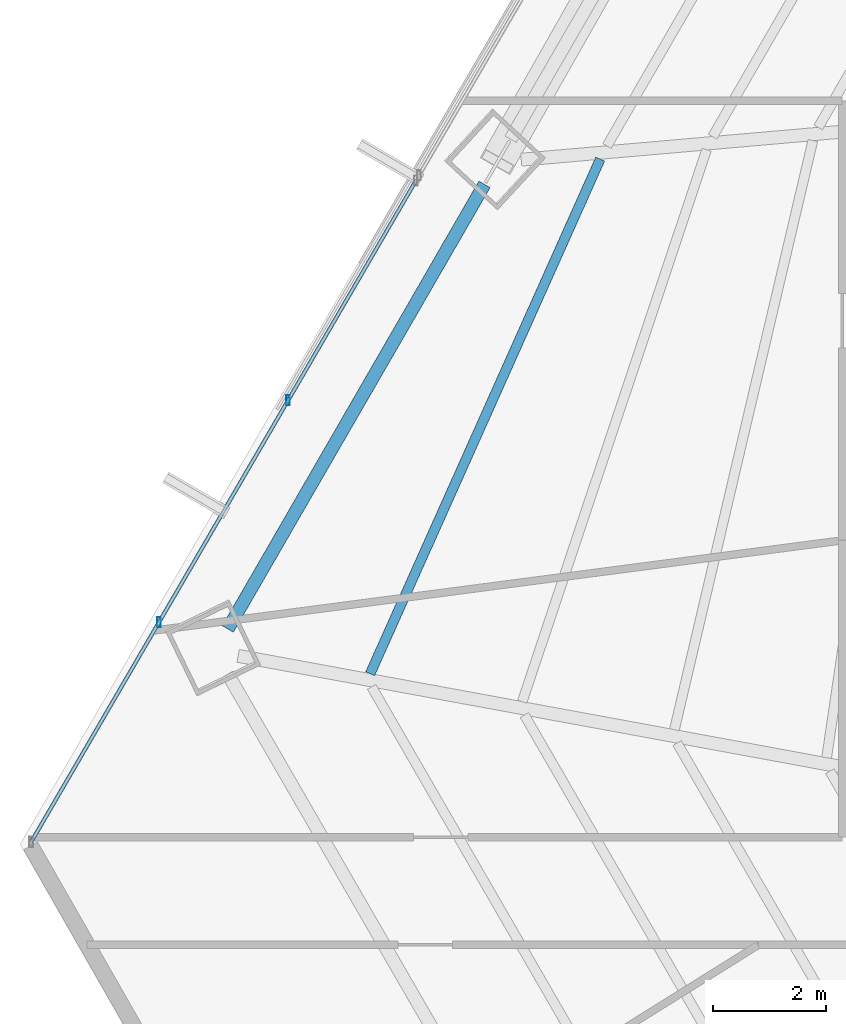
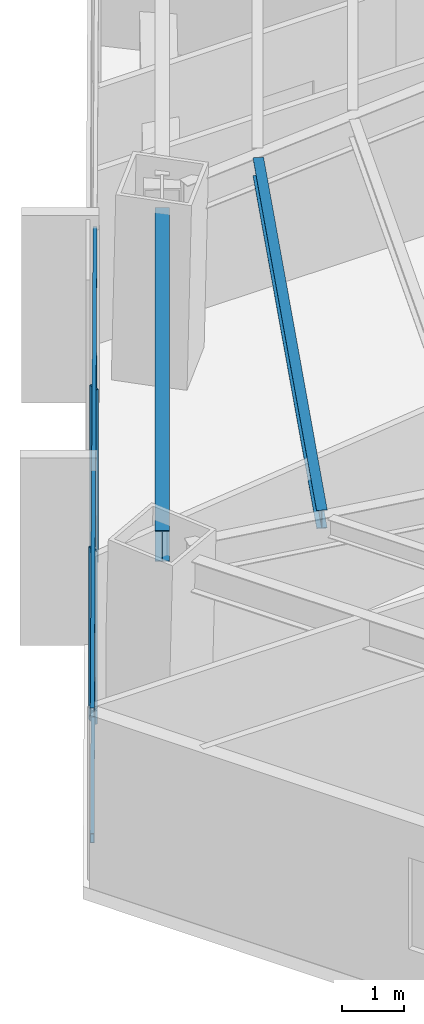
# One storey, part 10 of 34: 4 members, 2 beams, 1 element without a shape of its own.
"""IFC4 building model written with IfcOpenShell, lengths in metres."""

import ifcopenshell
import ifcopenshell.guid

model = None  # the IFC model being written
_history = None  # IfcOwnerHistory: only IFC2X3 demands one
_inside = {}  # id of a spatial element -> (the spatial element, [elements in it])
_under = {}  # id of a project, library or spatial element -> (it, [spatial elements below it])
_declared = {}  # id of a project -> (the project, [libraries it declares])
_typed = {}  # id of a type object -> (the type object, [elements of that type])
_made_of = {}  # id of a material, layer set ... -> (it, [elements and type objects made of it])


def new_model(schema):
    """Start an empty IFC model of exactly this schema.

    Asked for "IFC4X3", IfcOpenShell would pick the latest addendum, in which some entities
    have other attributes; the version numbers below select the first issue.
    IFC2X3 requires an IfcOwnerHistory on every rooted entity: one is made here for all.
    """
    global model, _history
    if schema == "IFC4X3":
        model = ifcopenshell.file(schema_version=(4, 3, 0, 0))
    else:
        model = ifcopenshell.file(schema=schema)
    _inside.clear()
    _under.clear()
    _declared.clear()
    _typed.clear()
    _made_of.clear()
    _history = None
    if model.schema == "IFC2X3":
        org = make("IfcOrganization", Name="unknown")
        user = make(
            "IfcPersonAndOrganization",
            ThePerson=make("IfcPerson", FamilyName="unknown"),
            TheOrganization=org,
        )
        app = make(
            "IfcApplication",
            ApplicationDeveloper=org,
            Version="unknown",
            ApplicationFullName="unknown",
            ApplicationIdentifier="unknown",
        )
        _history = make(
            "IfcOwnerHistory",
            OwningUser=user,
            OwningApplication=app,
            ChangeAction="ADDED",
            CreationDate=0,
        )
    return model


def make(cls, **values):
    """One entity of the class cls with the attributes given. An attribute that is None is left unset."""
    return model.create_entity(
        cls, **{name: value for name, value in values.items() if value is not None}
    )


def rooted(cls, **values):
    """An entity with a GlobalId (a new one), such as an element, a storey or a relation."""
    return make(cls, GlobalId=ifcopenshell.guid.new(), OwnerHistory=_history, **values)


def si_unit(unit_type, name, prefix=None):
    """IfcSIUnit, for example si_unit("LENGTHUNIT", "METRE", prefix="MILLI")."""
    return make("IfcSIUnit", UnitType=unit_type, Prefix=prefix, Name=name)


def assignment(units):
    """IfcUnitAssignment: the units of a project."""
    return None if units is None else make("IfcUnitAssignment", Units=units)


def point(xyz):
    """IfcCartesianPoint."""
    return None if xyz is None else make("IfcCartesianPoint", Coordinates=xyz)


def direction(xyz):
    """IfcDirection."""
    return None if xyz is None else make("IfcDirection", DirectionRatios=xyz)


def frame(location, z_axis=None, x_axis=None):
    """IfcAxis2Placement3D, a coordinate frame: its origin and axes. An axis left out is left unset."""
    return make(
        "IfcAxis2Placement3D",
        Location=point(location),
        Axis=direction(z_axis),
        RefDirection=direction(x_axis),
    )


def frame_2d(location, x_axis=None):
    """IfcAxis2Placement2D, a coordinate frame in the plane: its origin and x axis."""
    return make(
        "IfcAxis2Placement2D", Location=point(location), RefDirection=direction(x_axis)
    )


def origin():
    """The frame at (0, 0, 0) with its axes left unset."""
    return frame((0.0, 0.0, 0.0))


def origin_2d():
    """The frame at (0, 0) in the plane with its x axis left unset."""
    return frame_2d((0.0, 0.0))


def place(relative_to, where):
    """IfcLocalPlacement: puts the frame where relative to a parent placement (None: the world)."""
    return make(
        "IfcLocalPlacement", PlacementRelTo=relative_to, RelativePlacement=where
    )


def context(
    kind, dimensions, precision=None, world=None, true_north=None, identifier=None
):
    """IfcGeometricRepresentationContext, for example the 3D "Model" context."""
    return make(
        "IfcGeometricRepresentationContext",
        ContextIdentifier=identifier,
        ContextType=kind,
        CoordinateSpaceDimension=dimensions,
        Precision=precision,
        WorldCoordinateSystem=world,
        TrueNorth=true_north,
    )


def subcontext(parent, identifier, kind, view, scale=None):
    """IfcGeometricRepresentationSubContext, for example "Body" below "Model"."""
    return make(
        "IfcGeometricRepresentationSubContext",
        ContextIdentifier=identifier,
        ContextType=kind,
        ParentContext=parent,
        TargetScale=scale,
        TargetView=view,
    )


def project(units=None, contexts=None):
    """IfcProject with its units and contexts."""
    return rooted(
        "IfcProject",
        Name="project",
        RepresentationContexts=contexts,
        UnitsInContext=assignment(units),
    )


def spatial(cls, under=None, at=None, **own):
    """A site, building, storey or space (cls), placed at a placement, below another one or the project."""
    s = rooted(cls, ObjectPlacement=at, **own)
    if under is not None:
        _under.setdefault(under.id(), (under, []))[1].append(s)
    return s


def profile(cls, at=None, kind="AREA", **sizes):
    """A parametric profile (cls). Its sizes go by their IFC names, for example OverallWidth=200.0."""
    return make(cls, ProfileType=kind, Position=at, **sizes)


def hollow_rectangle(**sizes):
    """IfcRectangleHollowProfileDef."""
    return profile("IfcRectangleHollowProfileDef", **sizes)


def i_section(**sizes):
    """IfcIShapeProfileDef."""
    return profile("IfcIShapeProfileDef", **sizes)


def extrude(swept, where, along, depth):
    """IfcExtrudedAreaSolid: the profile swept, set in the frame where, extruded along a direction by depth."""
    return make(
        "IfcExtrudedAreaSolid",
        SweptArea=swept,
        Position=where,
        ExtrudedDirection=direction(along),
        Depth=depth,
    )


def shape(context_of_items, identifier, shape_type, items):
    """IfcShapeRepresentation: the items that make up one representation, for example the "Body"."""
    return make(
        "IfcShapeRepresentation",
        ContextOfItems=context_of_items,
        RepresentationIdentifier=identifier,
        RepresentationType=shape_type,
        Items=items,
    )


def source(mapping_origin, context_of_items, identifier, shape_type, items):
    """IfcRepresentationMap: a shape defined once, which mapped items show again and again."""
    return make(
        "IfcRepresentationMap",
        MappingOrigin=mapping_origin,
        MappedRepresentation=shape(context_of_items, identifier, shape_type, items),
    )


def transform(
    local_origin,
    x_axis=None,
    y_axis=None,
    z_axis=None,
    scale=None,
    scale2=None,
    scale3=None,
    uniform=True,
):
    """IfcCartesianTransformationOperator3D, or its non-uniform kind. x_axis, y_axis, z_axis: its Axis1, 2, 3."""
    if uniform:
        return make(
            "IfcCartesianTransformationOperator3D",
            Axis1=direction(x_axis),
            Axis2=direction(y_axis),
            LocalOrigin=point(local_origin),
            Scale=scale,
            Axis3=direction(z_axis),
        )
    return make(
        "IfcCartesianTransformationOperator3DnonUniform",
        Axis1=direction(x_axis),
        Axis2=direction(y_axis),
        LocalOrigin=point(local_origin),
        Scale=scale,
        Axis3=direction(z_axis),
        Scale2=scale2,
        Scale3=scale3,
    )


def mapped(mapping_source, mapping_target):
    """IfcMappedItem: shows the shape of a source again, moved by a transform."""
    return make(
        "IfcMappedItem", MappingSource=mapping_source, MappingTarget=mapping_target
    )


def material(Name=None, Category=None):
    """IfcMaterial."""
    return make("IfcMaterial", Name=Name, Category=Category)


def material_profile(
    of_material, cross_section, Name=None, Category=None, Priority=None
):
    """IfcMaterialProfile: a cross section and its material."""
    return make(
        "IfcMaterialProfile",
        Name=Name,
        Material=of_material,
        Profile=cross_section,
        Priority=Priority,
        Category=Category,
    )


def profile_set(profiles, Name=None, composite=None):
    """IfcMaterialProfileSet."""
    return make(
        "IfcMaterialProfileSet",
        Name=Name,
        MaterialProfiles=profiles,
        CompositeProfile=composite,
    )


def made_of(thing, what):
    """Note that an element or type object is made of a material, layer set ...; save() writes the relation."""
    if what is not None:
        _made_of.setdefault(what.id(), (what, []))[1].append(thing)
    return thing


def type_object(cls, material=None, **own):
    """A type object (cls), such as IfcWallType, which elements share."""
    return made_of(rooted(cls, **own), material)


def type_shapes(of_type, sources):
    """Give a type object the sources (RepresentationMaps) that its elements show as mapped items."""
    of_type.RepresentationMaps = sources


def element(
    cls,
    number,
    at=None,
    inside=None,
    cuts=None,
    type_object=None,
    material=None,
    context=None,
    identifier="Body",
    shape_type=None,
    held_by="IfcProductDefinitionShape",
    body=None,
    shapes=None,
    **own,
):
    """One element of the class cls, such as IfcWall. Its Tag is "e" and its number.

    at: its placement. inside: the storey or other place that contains it. cuts: it is an
    opening in that element (IfcRelVoidsElement). A single representation is given by context,
    identifier, shape_type and body (its items); several are given by shapes. held_by: the class
    of the entity that holds the representations. save() writes the other relations.
    """
    e = rooted(cls, Tag="e%d" % number, ObjectPlacement=at, **own)
    if body is not None:
        shapes = [shape(context, identifier, shape_type, body)]
    if shapes is not None:
        e.Representation = make(held_by, Representations=shapes)
    if inside is not None:
        _inside.setdefault(inside.id(), (inside, []))[1].append(e)
    if cuts is not None:
        rooted(
            "IfcRelVoidsElement", RelatingBuildingElement=cuts, RelatedOpeningElement=e
        )
    if type_object is not None:
        _typed.setdefault(type_object.id(), (type_object, []))[1].append(e)
    return made_of(e, material)


def aggregate(whole, parts):
    """IfcRelAggregates: a whole, such as a stair, and the parts it consists of."""
    return rooted("IfcRelAggregates", RelatingObject=whole, RelatedObjects=parts)


def save(model, path):
    """Write the relations noted so far, then the file.

    IfcRelAggregates (storeys below a building ...), IfcRelContainedInSpatialStructure (elements
    in a storey), IfcRelDefinesByType, IfcRelAssociatesMaterial and IfcRelDeclares: one each for
    every whole, place, type object, material and project.
    """
    for whole, parts in _under.values():
        aggregate(whole, parts)
    for where, things in _inside.values():
        rooted(
            "IfcRelContainedInSpatialStructure",
            RelatedElements=things,
            RelatingStructure=where,
        )
    for kind, things in _typed.values():
        rooted("IfcRelDefinesByType", RelatedObjects=things, RelatingType=kind)
    for what, things in _made_of.values():
        rooted("IfcRelAssociatesMaterial", RelatedObjects=things, RelatingMaterial=what)
    for by, libraries in _declared.values():
        rooted("IfcRelDeclares", RelatingContext=by, RelatedDefinitions=libraries)
    model.write(path)


model = new_model("IFC4")

# Units and contexts
model_context = context("Model", 3, precision=1e-05, world=origin(), true_north=direction((0.0, 1.0)))
body_context = subcontext(model_context, "Body", "Model", "MODEL_VIEW")
ifc_project = project(units=[si_unit("LENGTHUNIT", "METRE"), si_unit("AREAUNIT", "SQUARE_METRE"), si_unit("VOLUMEUNIT", "CUBIC_METRE"), si_unit("PLANEANGLEUNIT", "RADIAN"), si_unit("MASSUNIT", "GRAM", prefix="KILO")], contexts=[model_context])

# Site, building, storey
site_placement = place(None, origin())
site = spatial("IfcSite", under=ifc_project, at=site_placement, CompositionType="ELEMENT")
building_placement = place(site_placement, origin())
building = spatial("IfcBuilding", under=site, at=building_placement, Name="Caelisora Broadcast Tower", CompositionType="ELEMENT")
storey_placement = place(building_placement, frame((0.0, 0.0, 49.5)))
storey = spatial("IfcBuildingStorey", under=building, at=storey_placement, Name="L12", CompositionType="ELEMENT", Elevation=49.5)

# Beams
ifc_material_1 = material(Name="Steel Grade 350 (AS/NZS 3679.1)", Category="steel")
ifc_material_profile_1 = material_profile(ifc_material_1, i_section(OverallWidth=0.22900390625, OverallDepth=0.611572265625, WebThickness=0.011962890625, FlangeThickness=0.01953125, at=origin_2d()), Name="Steel Grade 350 (AS/NZS 3679.1)")
ifc_profile_set_1 = profile_set([ifc_material_profile_1], Name="Steel Grade 350 (AS/NZS 3679.1)")
beam_type_1 = type_object("IfcBeamType", Name="PG03", PredefinedType="BEAM", material=ifc_profile_set_1)
shared_shape_1 = source(origin(), body_context, "Body", "SweptSolid", [
    extrude(i_section(OverallWidth=0.22900390625, OverallDepth=0.611572265625, WebThickness=0.011962890625, FlangeThickness=0.01953125, at=origin_2d()), origin(), (0.0, 0.0, 1.0), 9.064208984375),
])
type_shapes(beam_type_1, [shared_shape_1])
beam_1_placement = place(storey_placement, frame((19.08447265625, 28.625244140625, 3.09423828125), z_axis=(-0.499989026653, -0.866031739157, 0.0), x_axis=(0.866031739157, -0.499989026653, 0.0)))
element("IfcBeam", 1, at=beam_1_placement, inside=storey, type_object=beam_type_1, Name="L12 beam PG03", PredefinedType="BEAM", context=body_context, shape_type="MappedRepresentation", body=[
    mapped(shared_shape_1, transform((0.0, 0.0, 0.0), scale=1.0)),
])
ifc_material_profile_2 = material_profile(ifc_material_1, i_section(OverallWidth=0.172119140625, OverallDepth=0.358642578125, WebThickness=0.008056640625, FlangeThickness=0.012939453125, at=origin_2d()), Name="Steel Grade 350 (AS/NZS 3679.1)")
ifc_profile_set_2 = profile_set([ifc_material_profile_2], Name="Steel Grade 350 (AS/NZS 3679.1)")
beam_type_2 = type_object("IfcBeamType", Name="SB02", PredefinedType="JOIST", material=ifc_profile_set_2)
shared_shape_2 = source(origin(), body_context, "Body", "SweptSolid", [
    extrude(i_section(OverallWidth=0.172119140625, OverallDepth=0.358642578125, WebThickness=0.008056640625, FlangeThickness=0.012939453125, at=origin_2d()), origin(), (0.0, 0.0, 1.0), 9.951416015625),
])
type_shapes(beam_type_2, [shared_shape_2])
beam_2_placement = place(storey_placement, frame((21.126708984375, 29.070068359375, 3.220703125), z_axis=(-0.408131503441, -0.912923148956, 0.0), x_axis=(0.912923148956, -0.408131503441, 0.0)))
element("IfcBeam", 2, at=beam_2_placement, inside=storey, type_object=beam_type_2, Name="L12 beam SB02", PredefinedType="JOIST", context=body_context, shape_type="MappedRepresentation", body=[
    mapped(shared_shape_2, transform((0.0, 0.0, 0.0), scale=1.0)),
])

# Curtain wall, members
ifc_material_2 = material(Name="Unitised Aluminium and Low-E Glass Curtain Wall", Category="glass")
curtain_wall_type = type_object("IfcCurtainWallType", Name="CW-Z1", PredefinedType="NOTDEFINED", material=ifc_material_2)
curtain_wall_placement = place(storey_placement, origin())
curtain_wall = element("IfcCurtainWall", 3, at=curtain_wall_placement, inside=storey, type_object=curtain_wall_type, Name="L12 curtain wall CW-Z1", PredefinedType="NOTDEFINED")
ifc_material_3 = material(Name="Aluminium 6063-T6 Anodised Terracotta Bronze", Category="aluminium")
ifc_material_profile_3 = material_profile(ifc_material_3, hollow_rectangle(XDim=0.06494140625, YDim=0.179931640625, WallThickness=0.00341796875, at=origin_2d()), Name="Aluminium 6063-T6 Anodised Terracotta Bronze")
ifc_profile_set_3 = profile_set([ifc_material_profile_3], Name="Aluminium 6063-T6 Anodised Terracotta Bronze")
member_type_1 = type_object("IfcMemberType", Name="CWM-02", PredefinedType="MULLION", material=ifc_profile_set_3)
shared_shape_3 = source(origin(), body_context, "Body", "SweptSolid", [
    extrude(hollow_rectangle(XDim=0.06494140625, YDim=0.179931640625, WallThickness=0.00341796875, at=origin_2d()), origin(), (0.0, 0.0, 1.0), 3.39990234375),
])
type_shapes(member_type_1, [shared_shape_3])
member_1_placement = place(storey_placement, frame((13.33740234375, 20.892822265625, 0.0), z_axis=(0.0, 0.0, 1.0), x_axis=(1.0, 0.0, 0.0)))
member_1 = element("IfcMember", 4, at=member_1_placement, type_object=member_type_1, Name="L12-CW-B09 mullion #1", PredefinedType="MULLION", context=body_context, shape_type="MappedRepresentation", body=[
    mapped(shared_shape_3, transform((0.0, 0.0, 0.0), scale=1.0)),
])
member_2_placement = place(storey_placement, frame((15.617919921875, 24.8125, 0.0), z_axis=(0.0, 0.0, 1.0), x_axis=(1.0, 0.0, 0.0)))
member_2 = element("IfcMember", 5, at=member_2_placement, type_object=member_type_1, Name="L12-CW-B09 mullion #2", PredefinedType="MULLION", context=body_context, shape_type="MappedRepresentation", body=[
    mapped(shared_shape_3, transform((0.0, 0.0, 0.0), scale=1.0)),
])
ifc_material_profile_4 = material_profile(ifc_material_3, hollow_rectangle(XDim=0.06494140625, YDim=0.179931640625, WallThickness=0.00341796875, at=origin_2d()), Name="Aluminium 6063-T6 Anodised Terracotta Bronze")
ifc_profile_set_4 = profile_set([ifc_material_profile_4], Name="Aluminium 6063-T6 Anodised Terracotta Bronze")
member_type_2 = type_object("IfcMemberType", Name="CWT-01", PredefinedType="USERDEFINED", material=ifc_profile_set_4)
shared_shape_4 = source(origin(), body_context, "Body", "SweptSolid", [
    extrude(hollow_rectangle(XDim=0.06494140625, YDim=0.179931640625, WallThickness=0.00341796875, at=origin_2d()), origin(), (0.0, 0.0, 1.0), 13.5048828125),
])
type_shapes(member_type_2, [shared_shape_4])
member_3_placement = place(storey_placement, frame((11.08203125, 17.01611328125, 0.85009765625), z_axis=(0.50287368754, 0.864359910211, 0.0), x_axis=(-0.864359910211, 0.50287368754, 0.0)))
member_3 = element("IfcMember", 6, at=member_3_placement, type_object=member_type_2, Name="L12-CW-B09 transom #1", ObjectType="TRANSOM", PredefinedType="USERDEFINED", context=body_context, shape_type="MappedRepresentation", body=[
    mapped(shared_shape_4, transform((0.0, 0.0, 0.0), scale=1.0)),
])
member_4_placement = place(storey_placement, frame((11.08203125, 17.01611328125, 3.320068359375), z_axis=(0.50287368754, 0.864359910211, 0.0), x_axis=(-0.864359910211, 0.50287368754, 0.0)))
member_4 = element("IfcMember", 7, at=member_4_placement, type_object=member_type_2, Name="L12-CW-B09 transom #2", ObjectType="TRANSOM", PredefinedType="USERDEFINED", context=body_context, shape_type="MappedRepresentation", body=[
    mapped(shared_shape_4, transform((0.0, 0.0, 0.0), scale=1.0)),
])
aggregate(curtain_wall, [member_1, member_2, member_3, member_4])

save(model, "model.ifc")
